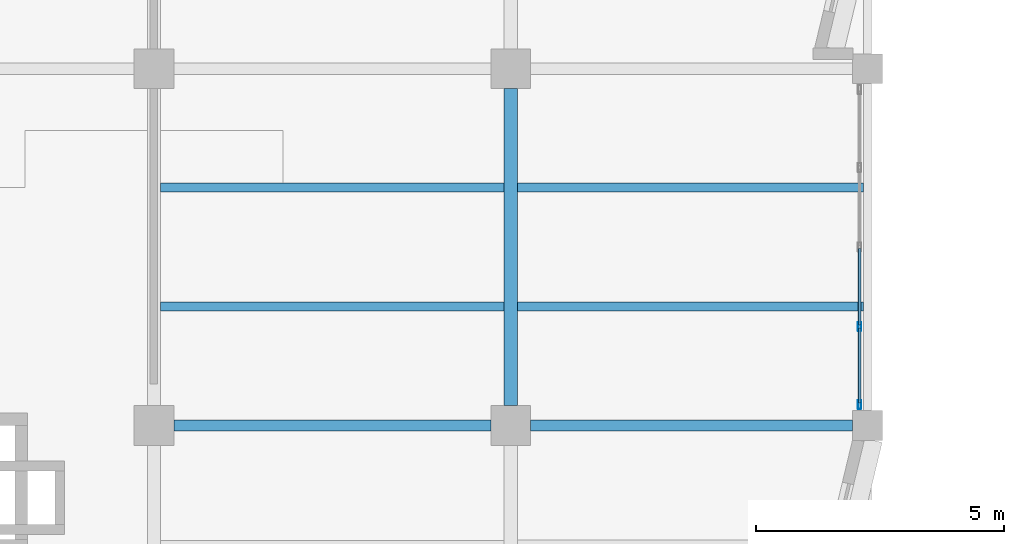
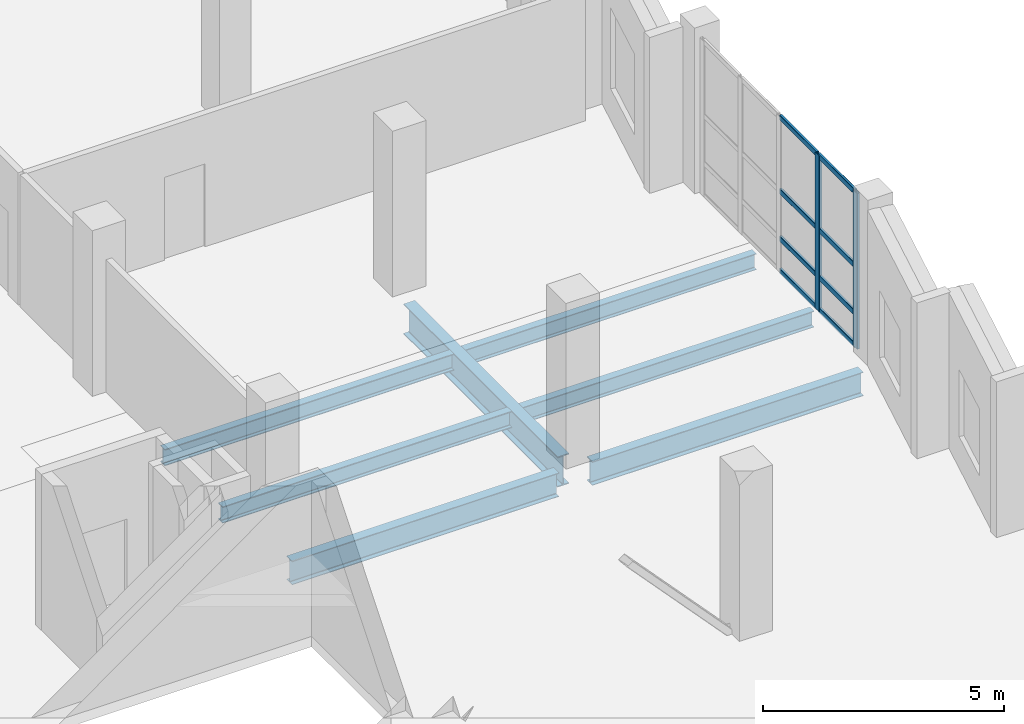
# One storey, part 29 of 94: 10 members, 7 beams, 1 element without a shape of its own.
"""IFC4 building model written with IfcOpenShell, lengths in metres."""

from ifc_helpers import new_model, si_unit, direction, frame, origin, origin_2d, place, context, subcontext, project, spatial, hollow_rectangle, i_section, extrude, material, material_profile, profile_set, type_object, element, aggregate, save


model = new_model("IFC4")

# Units and contexts
model_context = context("Model", 3, precision=1e-05, world=origin(), true_north=direction((0.0, 1.0)))
body_context = subcontext(model_context, "Body", "Model", "MODEL_VIEW")
ifc_project = project(units=[si_unit("LENGTHUNIT", "METRE"), si_unit("AREAUNIT", "SQUARE_METRE"), si_unit("VOLUMEUNIT", "CUBIC_METRE"), si_unit("PLANEANGLEUNIT", "RADIAN"), si_unit("MASSUNIT", "GRAM", prefix="KILO")], contexts=[model_context])

# Site, building, storey
site_placement = place(None, origin())
site = spatial("IfcSite", under=ifc_project, at=site_placement, CompositionType="ELEMENT")
building_placement = place(site_placement, origin())
building = spatial("IfcBuilding", under=site, at=building_placement, Name="Kalmorath City Hall", CompositionType="ELEMENT")
storey_placement = place(building_placement, frame((0.0, 0.0, 14.699951171875)))
storey = spatial("IfcBuildingStorey", under=building, at=storey_placement, Name="L03", CompositionType="ELEMENT", Elevation=14.699951171875)

# Curtain wall, members
ifc_material_1 = material(Name="Anodised aluminium and laminated glass", Category="aluminium")
curtain_wall_type = type_object("IfcCurtainWallType", Name="Unitised hurricane curtain wall 6420x3950 M1600", PredefinedType="NOTDEFINED", material=ifc_material_1)
curtain_wall_placement = place(storey_placement, origin())
curtain_wall = element("IfcCurtainWall", 1, at=curtain_wall_placement, inside=storey, type_object=curtain_wall_type, Name="L03 curtain wall CW-64X40M16 #153", PredefinedType="NOTDEFINED")
ifc_material_2 = material(Name="Anodised aluminium framing", Category="aluminium")
ifc_material_profile_1 = material_profile(ifc_material_2, hollow_rectangle(XDim=0.06494140625, YDim=0.179931640625, WallThickness=0.00390625, InnerFilletRadius=0.00390625, OuterFilletRadius=0.008056640625, at=origin_2d()), Name="ALU-MUL-180X65X4")
ifc_profile_set_1 = profile_set([ifc_material_profile_1], Name="Anodised aluminium framing")
member_type_1 = type_object("IfcMemberType", Name="Curtain-wall courtyard mullion 180x65", PredefinedType="MULLION", material=ifc_profile_set_1)
member_1_placement = place(storey_placement, frame((28.639892578125, 59.594970703125, 0.0), z_axis=(0.0, 0.0, 1.0), x_axis=(1.0, 0.0, 0.0)))
member_1 = element("IfcMember", 2, at=member_1_placement, type_object=member_type_1, Name="CW-64X40M16 mullion 4", PredefinedType="MULLION", context=body_context, shape_type="SweptSolid", body=[
    extrude(hollow_rectangle(XDim=0.06494140625, YDim=0.179931640625, WallThickness=0.00390625, InnerFilletRadius=0.00390625, OuterFilletRadius=0.008056640625, at=origin_2d()), origin(), (0.0, 0.0, 1.0), 3.949951171875),
])
member_2_placement = place(storey_placement, frame((28.639892578125, 58.0224609375, 0.0), z_axis=(0.0, 0.0, 1.0), x_axis=(1.0, 0.0, 0.0)))
member_2 = element("IfcMember", 3, at=member_2_placement, type_object=member_type_1, Name="CW-64X40M16 mullion 5", PredefinedType="MULLION", context=body_context, shape_type="SweptSolid", body=[
    extrude(hollow_rectangle(XDim=0.06494140625, YDim=0.179931640625, WallThickness=0.00390625, InnerFilletRadius=0.00390625, OuterFilletRadius=0.008056640625, at=origin_2d()), origin(), (0.0, 0.0, 1.0), 3.949951171875),
])
ifc_material_3 = material(Name="Anodised aluminium framing", Category="aluminium")
ifc_material_profile_2 = material_profile(ifc_material_3, hollow_rectangle(XDim=0.06005859375, YDim=0.1298828125, WallThickness=0.00341796875, InnerFilletRadius=0.00341796875, OuterFilletRadius=0.007080078125, at=origin_2d()), Name="ALU-TRN-130X60X3.5")
ifc_profile_set_2 = profile_set([ifc_material_profile_2], Name="Anodised aluminium framing")
member_type_2 = type_object("IfcMemberType", Name="Curtain-wall courtyard transom 130x60", PredefinedType="USERDEFINED", material=ifc_profile_set_2)
member_3_placement = place(storey_placement, frame((28.639892578125, 61.16748046875, 0.030029296875), z_axis=(0.0, -1.0, 0.0), x_axis=(1.0, 0.0, 0.0)))
member_3 = element("IfcMember", 4, at=member_3_placement, type_object=member_type_2, Name="CW-64X40M16 transom 3.1", ObjectType="TRANSOM", PredefinedType="USERDEFINED", context=body_context, shape_type="SweptSolid", body=[
    extrude(hollow_rectangle(XDim=0.06005859375, YDim=0.1298828125, WallThickness=0.00341796875, InnerFilletRadius=0.00341796875, OuterFilletRadius=0.007080078125, at=origin_2d()), origin(), (0.0, 0.0, 1.0), 1.5400390625),
])
member_4_placement = place(storey_placement, frame((28.639892578125, 61.16748046875, 0.85009765625), z_axis=(0.0, -1.0, 0.0), x_axis=(1.0, 0.0, 0.0)))
member_4 = element("IfcMember", 5, at=member_4_placement, type_object=member_type_2, Name="CW-64X40M16 transom 3.2", ObjectType="TRANSOM", PredefinedType="USERDEFINED", context=body_context, shape_type="SweptSolid", body=[
    extrude(hollow_rectangle(XDim=0.06005859375, YDim=0.1298828125, WallThickness=0.00341796875, InnerFilletRadius=0.00341796875, OuterFilletRadius=0.007080078125, at=origin_2d()), origin(), (0.0, 0.0, 1.0), 1.5400390625),
])
member_5_placement = place(storey_placement, frame((28.639892578125, 61.16748046875, 2.053955078125), z_axis=(0.0, -1.0, 0.0), x_axis=(1.0, 0.0, 0.0)))
member_5 = element("IfcMember", 6, at=member_5_placement, type_object=member_type_2, Name="CW-64X40M16 transom 3.3", ObjectType="TRANSOM", PredefinedType="USERDEFINED", context=body_context, shape_type="SweptSolid", body=[
    extrude(hollow_rectangle(XDim=0.06005859375, YDim=0.1298828125, WallThickness=0.00341796875, InnerFilletRadius=0.00341796875, OuterFilletRadius=0.007080078125, at=origin_2d()), origin(), (0.0, 0.0, 1.0), 1.5400390625),
])
member_6_placement = place(storey_placement, frame((28.639892578125, 61.16748046875, 3.920166015625), z_axis=(0.0, -1.0, 0.0), x_axis=(1.0, 0.0, 0.0)))
member_6 = element("IfcMember", 7, at=member_6_placement, type_object=member_type_2, Name="CW-64X40M16 transom 3.4", ObjectType="TRANSOM", PredefinedType="USERDEFINED", context=body_context, shape_type="SweptSolid", body=[
    extrude(hollow_rectangle(XDim=0.06005859375, YDim=0.1298828125, WallThickness=0.00341796875, InnerFilletRadius=0.00341796875, OuterFilletRadius=0.007080078125, at=origin_2d()), origin(), (0.0, 0.0, 1.0), 1.5400390625),
])
member_7_placement = place(storey_placement, frame((28.639892578125, 59.5625, 0.030029296875), z_axis=(0.0, -1.0, 0.0), x_axis=(1.0, 0.0, 0.0)))
member_7 = element("IfcMember", 8, at=member_7_placement, type_object=member_type_2, Name="CW-64X40M16 transom 4.1", ObjectType="TRANSOM", PredefinedType="USERDEFINED", context=body_context, shape_type="SweptSolid", body=[
    extrude(hollow_rectangle(XDim=0.06005859375, YDim=0.1298828125, WallThickness=0.00341796875, InnerFilletRadius=0.00341796875, OuterFilletRadius=0.007080078125, at=origin_2d()), origin(), (0.0, 0.0, 1.0), 1.507568359375),
])
member_8_placement = place(storey_placement, frame((28.639892578125, 59.5625, 0.85009765625), z_axis=(0.0, -1.0, 0.0), x_axis=(1.0, 0.0, 0.0)))
member_8 = element("IfcMember", 9, at=member_8_placement, type_object=member_type_2, Name="CW-64X40M16 transom 4.2", ObjectType="TRANSOM", PredefinedType="USERDEFINED", context=body_context, shape_type="SweptSolid", body=[
    extrude(hollow_rectangle(XDim=0.06005859375, YDim=0.1298828125, WallThickness=0.00341796875, InnerFilletRadius=0.00341796875, OuterFilletRadius=0.007080078125, at=origin_2d()), origin(), (0.0, 0.0, 1.0), 1.507568359375),
])
member_9_placement = place(storey_placement, frame((28.639892578125, 59.5625, 2.053955078125), z_axis=(0.0, -1.0, 0.0), x_axis=(1.0, 0.0, 0.0)))
member_9 = element("IfcMember", 10, at=member_9_placement, type_object=member_type_2, Name="CW-64X40M16 transom 4.3", ObjectType="TRANSOM", PredefinedType="USERDEFINED", context=body_context, shape_type="SweptSolid", body=[
    extrude(hollow_rectangle(XDim=0.06005859375, YDim=0.1298828125, WallThickness=0.00341796875, InnerFilletRadius=0.00341796875, OuterFilletRadius=0.007080078125, at=origin_2d()), origin(), (0.0, 0.0, 1.0), 1.507568359375),
])
member_10_placement = place(storey_placement, frame((28.639892578125, 59.5625, 3.920166015625), z_axis=(0.0, -1.0, 0.0), x_axis=(1.0, 0.0, 0.0)))
member_10 = element("IfcMember", 11, at=member_10_placement, type_object=member_type_2, Name="CW-64X40M16 transom 4.4", ObjectType="TRANSOM", PredefinedType="USERDEFINED", context=body_context, shape_type="SweptSolid", body=[
    extrude(hollow_rectangle(XDim=0.06005859375, YDim=0.1298828125, WallThickness=0.00341796875, InnerFilletRadius=0.00341796875, OuterFilletRadius=0.007080078125, at=origin_2d()), origin(), (0.0, 0.0, 1.0), 1.507568359375),
])
aggregate(curtain_wall, [member_1, member_2, member_3, member_4, member_5, member_6, member_7, member_8, member_9, member_10])

# Beams
ifc_material_4 = material(Name="Steel ASTM A992 Grade 50", Category="steel")
ifc_material_profile_3 = material_profile(ifc_material_4, i_section(OverallWidth=0.178955078125, OverallDepth=0.409912109375, WebThickness=0.0087890625, FlangeThickness=0.014404296875, FilletRadius=0.012939453125, at=origin_2d()), Name="W16X45")
ifc_profile_set_3 = profile_set([ifc_material_profile_3], Name="Steel ASTM A992 Grade 50")
beam_type_1 = type_object("IfcBeamType", Name="Steel composite joist W16X45", PredefinedType="JOIST", material=ifc_profile_set_3)
for number, where, z_axis, x_axis, name in (
    (12, (21.73388671875, 60.0, -0.468994140625), (1.0, 0.0, 0.0), (0.0, 1.0, 0.0), "L03 joist SJ6 4.9.1"),
    (13, (21.73388671875, 62.39990234375, -0.468994140625), (1.0, 0.0, 0.0), (0.0, 1.0, 0.0), "L03 joist SJ6 4.9.2"),
):
    element("IfcBeam", number, at=place(storey_placement, frame(where, z_axis=z_axis, x_axis=x_axis)), inside=storey, type_object=beam_type_1, Name=name, PredefinedType="JOIST", context=body_context, shape_type="SweptSolid", body=[
        extrude(i_section(OverallWidth=0.178955078125, OverallDepth=0.409912109375, WebThickness=0.0087890625, FlangeThickness=0.014404296875, FilletRadius=0.012939453125, at=origin_2d()), origin(), (0.0, 0.0, 1.0), 6.983642578125),
    ])
ifc_material_5 = material(Name="Steel ASTM A992 Grade 50", Category="steel")
ifc_material_profile_4 = material_profile(ifc_material_5, i_section(OverallWidth=0.180908203125, OverallDepth=0.4169921875, WebThickness=0.010986328125, FlangeThickness=0.018310546875, FilletRadius=0.012939453125, at=origin_2d()), Name="W16X57")
ifc_profile_set_4 = profile_set([ifc_material_profile_4], Name="Steel ASTM A992 Grade 50")
beam_type_2 = type_object("IfcBeamType", Name="Steel composite joist W16X57", PredefinedType="JOIST", material=ifc_profile_set_4)
for number, where, z_axis, x_axis, name in (
    (14, (14.533935546875, 60.0, -0.472412109375), (1.0, 0.0, 0.0), (0.0, 1.0, 0.0), "L03 joist SJ5 3.9.1"),
    (15, (14.533935546875, 62.39990234375, -0.472412109375), (1.0, 0.0, 0.0), (0.0, 1.0, 0.0), "L03 joist SJ5 3.9.2"),
):
    element("IfcBeam", number, at=place(storey_placement, frame(where, z_axis=z_axis, x_axis=x_axis)), inside=storey, type_object=beam_type_2, Name=name, PredefinedType="JOIST", context=body_context, shape_type="SweptSolid", body=[
        extrude(i_section(OverallWidth=0.180908203125, OverallDepth=0.4169921875, WebThickness=0.010986328125, FlangeThickness=0.018310546875, FilletRadius=0.012939453125, at=origin_2d()), origin(), (0.0, 0.0, 1.0), 6.93212890625),
    ])
ifc_material_6 = material(Name="Steel ASTM A992 Grade 50", Category="steel")
ifc_material_profile_5 = material_profile(ifc_material_6, i_section(OverallWidth=0.22802734375, OverallDepth=0.60302734375, WebThickness=0.010498046875, FlangeThickness=0.014892578125, FilletRadius=0.01611328125, at=origin_2d()), Name="W24X68")
ifc_profile_set_5 = profile_set([ifc_material_profile_5], Name="Steel ASTM A992 Grade 50")
beam_type_3 = type_object("IfcBeamType", Name="Steel floor girder W24X68", PredefinedType="BEAM", material=ifc_profile_set_5)
beam_1_placement = place(storey_placement, frame((14.800048828125, 57.60009765625, -0.5654296875), z_axis=(1.0, 0.0, 0.0), x_axis=(0.0, 1.0, 0.0)))
element("IfcBeam", 16, at=beam_1_placement, inside=storey, type_object=beam_type_3, Name="L03 girder SG9 X3-4/9", PredefinedType="BEAM", context=body_context, shape_type="SweptSolid", body=[
    extrude(i_section(OverallWidth=0.22802734375, OverallDepth=0.60302734375, WebThickness=0.010498046875, FlangeThickness=0.014892578125, FilletRadius=0.01611328125, at=origin_2d()), origin(), (0.0, 0.0, 1.0), 6.39990234375),
])
beam_2_placement = place(storey_placement, frame((22.0, 57.60009765625, -0.5654296875), z_axis=(1.0, 0.0, 0.0), x_axis=(0.0, 1.0, 0.0)))
element("IfcBeam", 17, at=beam_2_placement, inside=storey, type_object=beam_type_3, Name="L03 girder SG9 X4-5/9", PredefinedType="BEAM", context=body_context, shape_type="SweptSolid", body=[
    extrude(i_section(OverallWidth=0.22802734375, OverallDepth=0.60302734375, WebThickness=0.010498046875, FlangeThickness=0.014892578125, FilletRadius=0.01611328125, at=origin_2d()), origin(), (0.0, 0.0, 1.0), 6.5),
])
ifc_material_7 = material(Name="Steel ASTM A992 Grade 50", Category="steel")
ifc_material_profile_6 = material_profile(ifc_material_7, i_section(OverallWidth=0.26806640625, OverallDepth=0.77001953125, WebThickness=0.015625, FlangeThickness=0.025390625, FilletRadius=0.02001953125, at=origin_2d()), Name="W30X132")
ifc_profile_set_6 = profile_set([ifc_material_profile_6], Name="Steel ASTM A992 Grade 50")
beam_type_4 = type_object("IfcBeamType", Name="Steel primary girder W30X132", PredefinedType="BEAM", material=ifc_profile_set_6)
beam_3_placement = place(storey_placement, frame((21.60009765625, 58.0, -0.64892578125), z_axis=(0.0, 1.0, 0.0), x_axis=(-1.0, 0.0, 0.0)))
element("IfcBeam", 18, at=beam_3_placement, inside=storey, type_object=beam_type_4, Name="L03 girder SG3 Y4/9-10", PredefinedType="BEAM", context=body_context, shape_type="SweptSolid", body=[
    extrude(i_section(OverallWidth=0.26806640625, OverallDepth=0.77001953125, WebThickness=0.015625, FlangeThickness=0.025390625, FilletRadius=0.02001953125, at=origin_2d()), origin(), (0.0, 0.0, 1.0), 6.39990234375),
])

save(model, "model.ifc")
